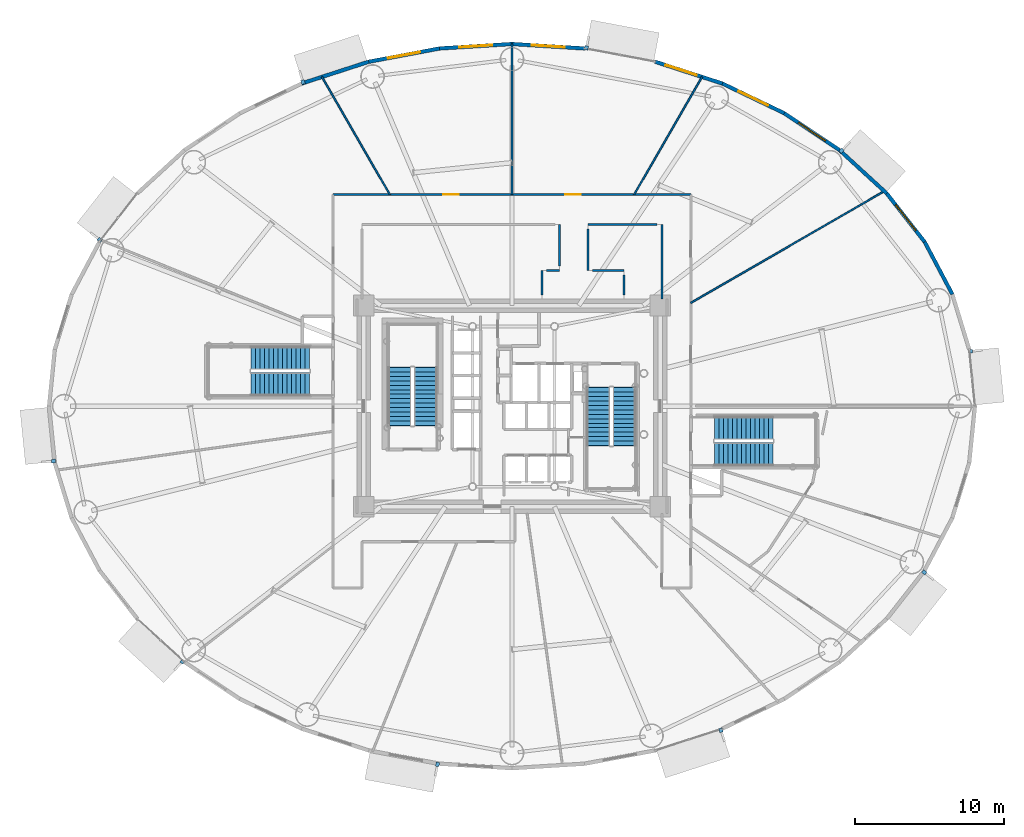
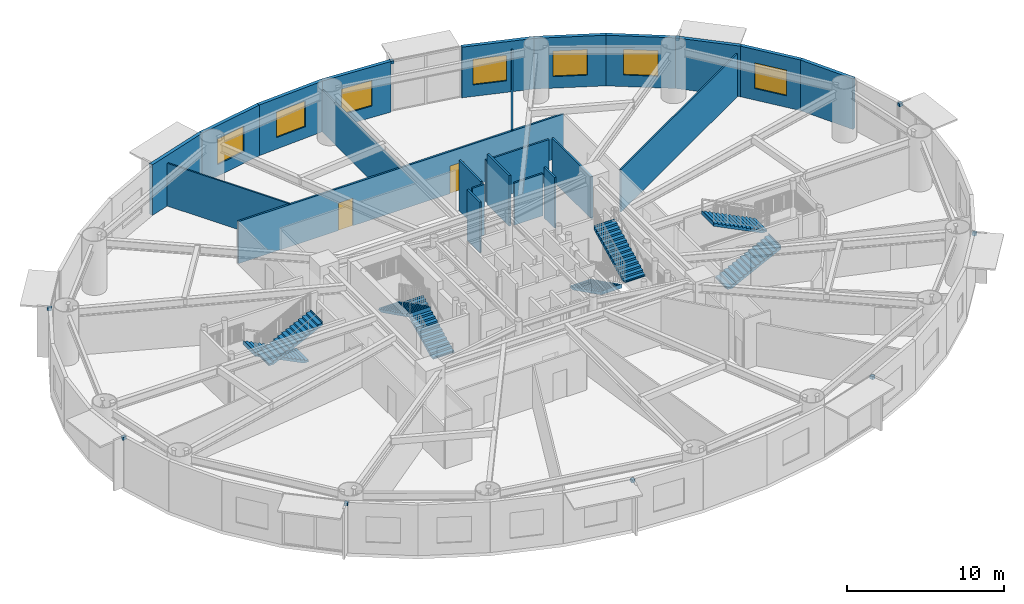
# One storey, part 23 of 35: 23 walls, 10 discrete accessories, 8 stair flights, 7 windows, 2 doors, 9 openings, 4 elements without a shape of their own.
"""IFC4 building model written with IfcOpenShell, lengths in metres."""

from ifc_helpers import new_model, si_unit, direction, frame, frame_2d, origin, origin_2d, place, context, subcontext, project, spatial, polyline, rectangle, outline, extrude, source, transform, mapped, material, layer, layer_set, type_object, element, fill, aggregate, save


model = new_model("IFC4")

# Units and contexts
model_context = context("Model", 3, precision=1e-05, world=origin(), true_north=direction((0.0, 1.0)))
body_context = subcontext(model_context, "Body", "Model", "MODEL_VIEW")
ifc_project = project(units=[si_unit("LENGTHUNIT", "METRE"), si_unit("AREAUNIT", "SQUARE_METRE"), si_unit("VOLUMEUNIT", "CUBIC_METRE"), si_unit("PLANEANGLEUNIT", "RADIAN"), si_unit("MASSUNIT", "GRAM", prefix="KILO")], contexts=[model_context])

# Site, building, storey
site_placement = place(None, origin())
site = spatial("IfcSite", under=ifc_project, at=site_placement, CompositionType="ELEMENT")
building_placement = place(site_placement, origin())
building = spatial("IfcBuilding", under=site, at=building_placement, Name="Linh Dai School and Residence Tower", CompositionType="ELEMENT")
storey_placement = place(building_placement, frame((0.0, 0.0, 49.199951171875)))
storey = spatial("IfcBuildingStorey", under=building, at=storey_placement, Name="L11", CompositionType="ELEMENT", Elevation=49.199951171875)

# Wall
ifc_material_1 = material(Name="Precast Concrete B45 (C35/45)", Category="concrete")
ifc_layer_1 = layer(ifc_material_1, 0.25)
ifc_layer_set_1 = layer_set([ifc_layer_1], Name="Precast Concrete B45 (C35/45)")
wall_type_1 = type_object("IfcWallType", Name="EW-TC-250", PredefinedType="SOLIDWALL", material=ifc_layer_set_1)
wall_1_placement = place(storey_placement, frame((63.694580078125, 38.022705078125, 0.0), z_axis=(0.0, 0.0, 1.0), x_axis=(0.467662443071, -0.883907144072, 0.0)))
element("IfcWall", 1, at=wall_1_placement, inside=storey, type_object=wall_type_1, Name="L11 Terracotta Exterior Wall 03", PredefinedType="SOLIDWALL", context=body_context, shape_type="SweptSolid", body=[
    extrude(rectangle(XDim=3.983642578125, YDim=0.25, at=frame_2d((1.99169921875, 0.0))), origin(), (0.0, 0.0, 1.0), 3.949951171875),
])

# Wall, opening, window
wall_2_placement = place(storey_placement, frame((61.149658203125, 41.274658203125, 0.0), z_axis=(0.0, 0.0, 1.0), x_axis=(0.616295508253, -0.787514981767, 0.0)))
wall_2 = element("IfcWall", 2, at=wall_2_placement, inside=storey, type_object=wall_type_1, Name="L11 Terracotta Exterior Wall 04", PredefinedType="SOLIDWALL", context=body_context, shape_type="SweptSolid", body=[
    extrude(rectangle(XDim=4.12939453125, YDim=0.25, at=frame_2d((2.064697265625, 0.0))), origin(), (0.0, 0.0, 1.0), 3.949951171875),
])
opening_1_placement = place(wall_2_placement, frame((0.964599609375, 0.0, 0.89990234375)))
opening_1 = element("IfcOpeningElement", 3, at=opening_1_placement, cuts=wall_2, Name="Opening W4", PredefinedType="OPENING", context=body_context, shape_type="SweptSolid", body=[
    extrude(rectangle(XDim=2.199951171875, YDim=2.0, at=origin_2d()), frame((1.10009765625, 0.135009765625, 1.0), z_axis=(0.0, -1.0, 0.0), x_axis=(1.0, 0.0, 0.0)), (0.0, 0.0, 1.0), 0.27001953125),
])
ifc_material_2 = material(Name="Acoustic Laminated Low-E Glazing", Category="glass")
window_type = type_object("IfcWindowType", Name="WN-SCH-2200x2000", PartitioningType="TRIPLE_PANEL_VERTICAL", PredefinedType="WINDOW", material=ifc_material_2)
shared_shape_1 = source(origin(), body_context, "Body", "SweptSolid", [
    extrude(rectangle(XDim=2.199951171875, YDim=2.0, at=origin_2d()), frame((1.10009765625, 0.030029296875, 1.0), z_axis=(0.0, -1.0, 0.0), x_axis=(1.0, 0.0, 0.0)), (0.0, 0.0, 1.0), 0.06005859375),
])
window_1_placement = place(opening_1_placement, origin())
window_1 = element("IfcWindow", 4, at=window_1_placement, inside=storey, type_object=window_type, Name="L11 Exterior Window 04.1", OverallHeight=2.0, OverallWidth=2.199951171875, PartitioningType="TRIPLE_PANEL_VERTICAL", PredefinedType="WINDOW", context=body_context, shape_type="MappedRepresentation", body=[
    mapped(shared_shape_1, transform((0.0, 0.0, 0.0), x_axis=(1.0, 0.0, 0.0), y_axis=(0.0, 1.0, 0.0), z_axis=(0.0, 0.0, 1.0), scale=1.0)),
])
fill(opening_1, window_1)

# Wall
wall_3_placement = place(storey_placement, frame((57.984619140625, 44.17626953125, 0.0), z_axis=(0.0, 0.0, 1.0), x_axis=(0.737116376281, -0.67576582321, 0.0)))
element("IfcWall", 5, at=wall_3_placement, inside=storey, type_object=wall_type_1, Name="L11 Terracotta Exterior Wall 05", PredefinedType="SOLIDWALL", context=body_context, shape_type="SweptSolid", body=[
    extrude(rectangle(XDim=4.293701171875, YDim=0.25, at=frame_2d((2.14697265625, 0.0))), origin(), (0.0, 0.0, 1.0), 3.949951171875),
])

# Wall, opening, window
wall_4_placement = place(storey_placement, frame((54.277099609375, 46.65576171875, 0.0), z_axis=(0.0, 0.0, 1.0), x_axis=(0.831240982525, -0.555912249343, 0.0)))
wall_4 = element("IfcWall", 6, at=wall_4_placement, inside=storey, type_object=wall_type_1, Name="L11 Terracotta Exterior Wall 06", PredefinedType="SOLIDWALL", context=body_context, shape_type="SweptSolid", body=[
    extrude(rectangle(XDim=4.460205078125, YDim=0.25, at=frame_2d((2.22998046875, 0.0))), origin(), (0.0, 0.0, 1.0), 3.949951171875),
])
opening_2_placement = place(wall_4_placement, frame((1.1298828125, 0.0, 0.89990234375)))
opening_2 = element("IfcOpeningElement", 7, at=opening_2_placement, cuts=wall_4, Name="Opening W4", PredefinedType="OPENING", context=body_context, shape_type="SweptSolid", body=[
    extrude(rectangle(XDim=2.199951171875, YDim=2.0, at=origin_2d()), frame((1.10009765625, 0.135009765625, 1.0), z_axis=(0.0, -1.0, 0.0), x_axis=(1.0, 0.0, 0.0)), (0.0, 0.0, 1.0), 0.27001953125),
])
window_2_placement = place(opening_2_placement, origin())
window_2 = element("IfcWindow", 8, at=window_2_placement, inside=storey, type_object=window_type, Name="L11 Exterior Window 06.1", OverallHeight=2.0, OverallWidth=2.199951171875, PartitioningType="TRIPLE_PANEL_VERTICAL", PredefinedType="WINDOW", context=body_context, shape_type="MappedRepresentation", body=[
    mapped(shared_shape_1, transform((0.0, 0.0, 0.0), x_axis=(1.0, 0.0, 0.0), y_axis=(0.0, 1.0, 0.0), z_axis=(0.0, 0.0, 1.0), scale=1.0)),
])
fill(opening_2, window_2)

wall_5_placement = place(storey_placement, frame((50.1181640625, 48.651123046875, 0.0), z_axis=(0.0, 0.0, 1.0), x_axis=(0.901601503137, -0.432567601123, 0.0)))
wall_5 = element("IfcWall", 9, at=wall_5_placement, inside=storey, type_object=wall_type_1, Name="L11 Terracotta Exterior Wall 07", PredefinedType="SOLIDWALL", context=body_context, shape_type="SweptSolid", body=[
    extrude(rectangle(XDim=4.61279296875, YDim=0.25, at=frame_2d((2.306396484375, 0.0))), origin(), (0.0, 0.0, 1.0), 3.949951171875),
])
opening_3_placement = place(wall_5_placement, frame((1.206298828125, 0.0, 0.89990234375)))
opening_3 = element("IfcOpeningElement", 10, at=opening_3_placement, cuts=wall_5, Name="Opening W4", PredefinedType="OPENING", context=body_context, shape_type="SweptSolid", body=[
    extrude(rectangle(XDim=2.199951171875, YDim=2.0, at=origin_2d()), frame((1.10009765625, 0.135009765625, 1.0), z_axis=(0.0, -1.0, 0.0), x_axis=(1.0, 0.0, 0.0)), (0.0, 0.0, 1.0), 0.27001953125),
])
window_3_placement = place(opening_3_placement, origin())
window_3 = element("IfcWindow", 11, at=window_3_placement, inside=storey, type_object=window_type, Name="L11 Exterior Window 07.1", OverallHeight=2.0, OverallWidth=2.199951171875, PartitioningType="TRIPLE_PANEL_VERTICAL", PredefinedType="WINDOW", context=body_context, shape_type="MappedRepresentation", body=[
    mapped(shared_shape_1, transform((0.0, 0.0, 0.0), x_axis=(1.0, 0.0, 0.0), y_axis=(0.0, 1.0, 0.0), z_axis=(0.0, 0.0, 1.0), scale=1.0)),
])
fill(opening_3, window_3)

wall_6_placement = place(storey_placement, frame((45.610595703125, 50.11328125, 0.0), z_axis=(0.0, 0.0, 1.0), x_axis=(0.951207699013, -0.308551313946, 0.0)))
wall_6 = element("IfcWall", 12, at=wall_6_placement, inside=storey, type_object=wall_type_1, Name="L11 Terracotta Exterior Wall 08", PredefinedType="SOLIDWALL", context=body_context, shape_type="SweptSolid", body=[
    extrude(rectangle(XDim=4.73876953125, YDim=0.25, at=frame_2d((2.369384765625, 0.0))), origin(), (0.0, 0.0, 1.0), 3.949951171875),
])
opening_4_placement = place(wall_6_placement, frame((0.73388671875, 0.0, 0.89990234375)))
opening_4 = element("IfcOpeningElement", 13, at=opening_4_placement, cuts=wall_6, Name="Opening W4", PredefinedType="OPENING", context=body_context, shape_type="SweptSolid", body=[
    extrude(rectangle(XDim=2.199951171875, YDim=2.0, at=origin_2d()), frame((1.10009765625, 0.135009765625, 1.0), z_axis=(0.0, -1.0, 0.0), x_axis=(1.0, 0.0, 0.0)), (0.0, 0.0, 1.0), 0.27001953125),
])
window_4_placement = place(opening_4_placement, origin())
window_4 = element("IfcWindow", 14, at=window_4_placement, inside=storey, type_object=window_type, Name="L11 Exterior Window 08.1", OverallHeight=2.0, OverallWidth=2.199951171875, PartitioningType="TRIPLE_PANEL_VERTICAL", PredefinedType="WINDOW", context=body_context, shape_type="MappedRepresentation", body=[
    mapped(shared_shape_1, transform((0.0, 0.0, 0.0), x_axis=(1.0, 0.0, 0.0), y_axis=(0.0, 1.0, 0.0), z_axis=(0.0, 0.0, 1.0), scale=1.0)),
])
fill(opening_4, window_4)

wall_7_placement = place(storey_placement, frame((36.0, 51.304931640625, 0.0), z_axis=(0.0, 0.0, 1.0), x_axis=(0.998106954071, -0.061502099433, 0.0)))
wall_7 = element("IfcWall", 15, at=wall_7_placement, inside=storey, type_object=wall_type_1, Name="L11 Terracotta Exterior Wall 10", PredefinedType="SOLIDWALL", context=body_context, shape_type="SweptSolid", body=[
    extrude(rectangle(XDim=4.874755859375, YDim=0.25, at=frame_2d((2.4375, 0.0))), origin(), (0.0, 0.0, 1.0), 3.949951171875),
])
opening_5_placement = place(wall_7_placement, frame((1.33740234375, 0.0, 0.89990234375)))
opening_5 = element("IfcOpeningElement", 16, at=opening_5_placement, cuts=wall_7, Name="Opening W4", PredefinedType="OPENING", context=body_context, shape_type="SweptSolid", body=[
    extrude(rectangle(XDim=2.199951171875, YDim=2.0, at=origin_2d()), frame((1.10009765625, 0.135009765625, 1.0), z_axis=(0.0, -1.0, 0.0), x_axis=(1.0, 0.0, 0.0)), (0.0, 0.0, 1.0), 0.27001953125),
])
window_5_placement = place(opening_5_placement, origin())
window_5 = element("IfcWindow", 17, at=window_5_placement, inside=storey, type_object=window_type, Name="L11 Exterior Window 10.1", OverallHeight=2.0, OverallWidth=2.199951171875, PartitioningType="TRIPLE_PANEL_VERTICAL", PredefinedType="WINDOW", context=body_context, shape_type="MappedRepresentation", body=[
    mapped(shared_shape_1, transform((0.0, 0.0, 0.0), x_axis=(1.0, 0.0, 0.0), y_axis=(0.0, 1.0, 0.0), z_axis=(0.0, 0.0, 1.0), scale=1.0)),
])
fill(opening_5, window_5)

wall_8_placement = place(storey_placement, frame((31.134521484375, 51.005126953125, 0.0), z_axis=(0.0, 0.0, 1.0), x_axis=(0.998106954071, 0.061502099433, 0.0)))
wall_8 = element("IfcWall", 18, at=wall_8_placement, inside=storey, type_object=wall_type_1, Name="L11 Terracotta Exterior Wall 11", PredefinedType="SOLIDWALL", context=body_context, shape_type="SweptSolid", body=[
    extrude(rectangle(XDim=4.874755859375, YDim=0.25, at=frame_2d((2.4375, 0.0))), origin(), (0.0, 0.0, 1.0), 3.949951171875),
])
opening_6_placement = place(wall_8_placement, frame((1.33740234375, 0.0, 0.89990234375)))
opening_6 = element("IfcOpeningElement", 19, at=opening_6_placement, cuts=wall_8, Name="Opening W4", PredefinedType="OPENING", context=body_context, shape_type="SweptSolid", body=[
    extrude(rectangle(XDim=2.199951171875, YDim=2.0, at=origin_2d()), frame((1.10009765625, 0.135009765625, 1.0), z_axis=(0.0, -1.0, 0.0), x_axis=(1.0, 0.0, 0.0)), (0.0, 0.0, 1.0), 0.27001953125),
])
window_6_placement = place(opening_6_placement, origin())
window_6 = element("IfcWindow", 20, at=window_6_placement, inside=storey, type_object=window_type, Name="L11 Exterior Window 11.1", OverallHeight=2.0, OverallWidth=2.199951171875, PartitioningType="TRIPLE_PANEL_VERTICAL", PredefinedType="WINDOW", context=body_context, shape_type="MappedRepresentation", body=[
    mapped(shared_shape_1, transform((0.0, 0.0, 0.0), x_axis=(1.0, 0.0, 0.0), y_axis=(0.0, 1.0, 0.0), z_axis=(0.0, 0.0, 1.0), scale=1.0)),
])
fill(opening_6, window_6)

wall_9_placement = place(storey_placement, frame((26.389404296875, 50.11328125, 0.0), z_axis=(0.0, 0.0, 1.0), x_axis=(0.982791952378, 0.184715939598, 0.0)))
wall_9 = element("IfcWall", 21, at=wall_9_placement, inside=storey, type_object=wall_type_1, Name="L11 Terracotta Exterior Wall 12", PredefinedType="SOLIDWALL", context=body_context, shape_type="SweptSolid", body=[
    extrude(rectangle(XDim=4.828125, YDim=0.25, at=frame_2d((2.4140625, 0.0))), origin(), (0.0, 0.0, 1.0), 3.949951171875),
])
opening_7_placement = place(wall_9_placement, frame((1.314208984375, 0.0, 0.89990234375)))
opening_7 = element("IfcOpeningElement", 22, at=opening_7_placement, cuts=wall_9, Name="Opening W4", PredefinedType="OPENING", context=body_context, shape_type="SweptSolid", body=[
    extrude(rectangle(XDim=2.199951171875, YDim=2.0, at=origin_2d()), frame((1.10009765625, 0.135009765625, 1.0), z_axis=(0.0, -1.0, 0.0), x_axis=(1.0, 0.0, 0.0)), (0.0, 0.0, 1.0), 0.27001953125),
])
window_7_placement = place(opening_7_placement, origin())
window_7 = element("IfcWindow", 23, at=window_7_placement, inside=storey, type_object=window_type, Name="L11 Exterior Window 12.1", OverallHeight=2.0, OverallWidth=2.199951171875, PartitioningType="TRIPLE_PANEL_VERTICAL", PredefinedType="WINDOW", context=body_context, shape_type="MappedRepresentation", body=[
    mapped(shared_shape_1, transform((0.0, 0.0, 0.0), x_axis=(1.0, 0.0, 0.0), y_axis=(0.0, 1.0, 0.0), z_axis=(0.0, 0.0, 1.0), scale=1.0)),
])
fill(opening_7, window_7)

# Wall
wall_10_placement = place(storey_placement, frame((21.8818359375, 48.651123046875, 0.0), z_axis=(0.0, 0.0, 1.0), x_axis=(0.951207699013, 0.308551313946, 0.0)))
element("IfcWall", 24, at=wall_10_placement, inside=storey, type_object=wall_type_1, Name="L11 Terracotta Exterior Wall 13", PredefinedType="SOLIDWALL", context=body_context, shape_type="SweptSolid", body=[
    extrude(rectangle(XDim=4.73876953125, YDim=0.25, at=frame_2d((2.369384765625, 0.0))), origin(), (0.0, 0.0, 1.0), 3.949951171875),
])

# Wall, openings, doors
ifc_material_3 = material(Name="Autoclaved Aerated Concrete Blockwork", Category="masonry")
ifc_layer_2 = layer(ifc_material_3, 0.135009765625)
ifc_layer_set_2 = layer_set([ifc_layer_2], Name="Autoclaved Aerated Concrete Blockwork")
wall_type_2 = type_object("IfcWallType", Name="IW-CORR-135-EI90", PredefinedType="PARTITIONING", material=ifc_layer_set_2)
wall_11_placement = place(storey_placement, frame((24.0, 41.199951171875, 0.0), z_axis=(0.0, 0.0, 1.0), x_axis=(1.0, 0.0, 0.0)))
wall_11 = element("IfcWall", 25, at=wall_11_placement, inside=storey, type_object=wall_type_2, Name="L11 Interior Partition Wall 014", PredefinedType="PARTITIONING", context=body_context, shape_type="SweptSolid", body=[
    extrude(rectangle(XDim=24.0, YDim=0.135009765625, at=frame_2d((12.0, 0.0))), origin(), (0.0, 0.0, 1.0), 3.28515625),
])
opening_8_placement = place(wall_11_placement, frame((15.57421875, 0.0, 0.0)))
opening_8 = element("IfcOpeningElement", 26, at=opening_8_placement, cuts=wall_11, Name="Opening D04", PredefinedType="OPENING", context=body_context, shape_type="SweptSolid", body=[
    extrude(rectangle(XDim=1.050048828125, YDim=2.14990234375, at=origin_2d()), frame((0.52490234375, 0.07763671875, 1.074951171875), z_axis=(0.0, -1.0, 0.0), x_axis=(1.0, 0.0, 0.0)), (0.0, 0.0, 1.0), 0.155029296875),
])
opening_9_placement = place(wall_11_placement, frame((7.375732421875, 0.0, 0.0)))
opening_9 = element("IfcOpeningElement", 27, at=opening_9_placement, cuts=wall_11, Name="Opening D04", PredefinedType="OPENING", context=body_context, shape_type="SweptSolid", body=[
    extrude(rectangle(XDim=1.050048828125, YDim=2.14990234375, at=origin_2d()), frame((0.52490234375, 0.07763671875, 1.074951171875), z_axis=(0.0, -1.0, 0.0), x_axis=(1.0, 0.0, 0.0)), (0.0, 0.0, 1.0), 0.155029296875),
])
ifc_material_4 = material(Name="Acoustic Vision-Panel Timber Classroom Door", Category="wood")
door_type = type_object("IfcDoorType", Name="DR-SCH-1050x2150-FD60S", OperationType="NOTDEFINED", PredefinedType="DOOR", material=ifc_material_4)
shared_shape_2 = source(origin(), body_context, "Body", "SweptSolid", [
    extrude(rectangle(XDim=1.050048828125, YDim=2.14990234375, at=origin_2d()), frame((0.52490234375, 0.02490234375, 1.074951171875), z_axis=(0.0, -1.0, 0.0), x_axis=(1.0, 0.0, 0.0)), (0.0, 0.0, 1.0), 0.050048828125),
])
door_1_placement = place(opening_8_placement, origin())
door_1 = element("IfcDoor", 28, at=door_1_placement, inside=storey, type_object=door_type, Name="L11 Secondary Classroom 3 Door", OperationType="SINGLE_SWING_RIGHT", OverallHeight=2.14990234375, OverallWidth=1.050048828125, PredefinedType="DOOR", context=body_context, shape_type="MappedRepresentation", body=[
    mapped(shared_shape_2, transform((0.0, 0.0, 0.0), x_axis=(1.0, 0.0, 0.0), y_axis=(0.0, 1.0, 0.0), z_axis=(0.0, 0.0, 1.0), scale=1.0)),
])
fill(opening_8, door_1)
door_2_placement = place(opening_9_placement, origin())
door_2 = element("IfcDoor", 29, at=door_2_placement, inside=storey, type_object=door_type, Name="L11 Secondary Classroom 4 Door", OperationType="SINGLE_SWING_LEFT", OverallHeight=2.14990234375, OverallWidth=1.050048828125, PredefinedType="DOOR", context=body_context, shape_type="MappedRepresentation", body=[
    mapped(shared_shape_2, transform((0.0, 0.0, 0.0), x_axis=(1.0, 0.0, 0.0), y_axis=(0.0, 1.0, 0.0), z_axis=(0.0, 0.0, 1.0), scale=1.0)),
])
fill(opening_9, door_2)

# Walls
wall_12_placement = place(storey_placement, frame((46.050048828125, 34.199951171875, 0.0), z_axis=(0.0, 0.0, 1.0), x_axis=(0.0, 1.0, 0.0)))
element("IfcWall", 30, at=wall_12_placement, inside=storey, type_object=wall_type_2, Name="L11 Interior Partition Wall 092", PredefinedType="PARTITIONING", context=body_context, shape_type="SweptSolid", body=[
    extrude(rectangle(XDim=5.0, YDim=0.135009765625, at=frame_2d((2.5, 0.0))), origin(), (0.0, 0.0, 1.0), 3.28515625),
])
wall_13_placement = place(storey_placement, frame((45.742431640625, 39.199951171875, 0.0), z_axis=(0.0, 0.0, 1.0), x_axis=(-1.0, 0.0, 0.0)))
element("IfcWall", 31, at=wall_13_placement, inside=storey, type_object=wall_type_2, Name="L11 Interior Partition Wall 093", PredefinedType="PARTITIONING", context=body_context, shape_type="SweptSolid", body=[
    extrude(rectangle(XDim=4.642333984375, YDim=0.135009765625, at=frame_2d((2.3212890625, 0.0))), origin(), (0.0, 0.0, 1.0), 3.28515625),
])
wall_14_placement = place(storey_placement, frame((41.10009765625, 38.892578125, 0.0), z_axis=(0.0, 0.0, 1.0), x_axis=(0.0, -1.0, 0.0)))
element("IfcWall", 32, at=wall_14_placement, inside=storey, type_object=wall_type_2, Name="L11 Interior Partition Wall 094", PredefinedType="PARTITIONING", context=body_context, shape_type="SweptSolid", body=[
    extrude(rectangle(XDim=2.79248046875, YDim=0.135009765625, at=frame_2d((1.396240234375, 0.0))), origin(), (0.0, 0.0, 1.0), 3.949951171875),
])
wall_15_placement = place(storey_placement, frame((41.407470703125, 36.10009765625, 0.0), z_axis=(0.0, 0.0, 1.0), x_axis=(1.0, 0.0, 0.0)))
element("IfcWall", 33, at=wall_15_placement, inside=storey, type_object=wall_type_2, Name="L11 Interior Partition Wall 095", PredefinedType="PARTITIONING", context=body_context, shape_type="SweptSolid", body=[
    extrude(rectangle(XDim=2.092529296875, YDim=0.135009765625, at=frame_2d((1.04638671875, 0.0))), origin(), (0.0, 0.0, 1.0), 3.28515625),
])
wall_16_placement = place(storey_placement, frame((43.5, 35.79248046875, 0.0), z_axis=(0.0, 0.0, 1.0), x_axis=(0.0, -1.0, 0.0)))
element("IfcWall", 34, at=wall_16_placement, inside=storey, type_object=wall_type_2, Name="L11 Interior Partition Wall 096", PredefinedType="PARTITIONING", context=body_context, shape_type="SweptSolid", body=[
    extrude(rectangle(XDim=1.33251953125, YDim=0.135009765625, at=frame_2d((0.666259765625, 0.0))), origin(), (0.0, 0.0, 1.0), 3.949951171875),
])
wall_17_placement = place(storey_placement, frame((38.0, 34.4599609375, 0.0), z_axis=(0.0, 0.0, 1.0), x_axis=(0.0, 1.0, 0.0)))
element("IfcWall", 35, at=wall_17_placement, inside=storey, type_object=wall_type_2, Name="L11 Interior Partition Wall 097", PredefinedType="PARTITIONING", context=body_context, shape_type="SweptSolid", body=[
    extrude(rectangle(XDim=1.64013671875, YDim=0.135009765625, at=frame_2d((0.820068359375, 0.0))), origin(), (0.0, 0.0, 1.0), 3.949951171875),
])
wall_18_placement = place(storey_placement, frame((38.3076171875, 36.10009765625, 0.0), z_axis=(0.0, 0.0, 1.0), x_axis=(1.0, 0.0, 0.0)))
element("IfcWall", 36, at=wall_18_placement, inside=storey, type_object=wall_type_2, Name="L11 Interior Partition Wall 098", PredefinedType="PARTITIONING", context=body_context, shape_type="SweptSolid", body=[
    extrude(rectangle(XDim=0.892333984375, YDim=0.135009765625, at=frame_2d((0.4462890625, 0.0))), origin(), (0.0, 0.0, 1.0), 3.949951171875),
])
wall_19_placement = place(storey_placement, frame((39.199951171875, 36.407470703125, 0.0), z_axis=(0.0, 0.0, 1.0), x_axis=(0.0, 1.0, 0.0)))
element("IfcWall", 37, at=wall_19_placement, inside=storey, type_object=wall_type_2, Name="L11 Interior Partition Wall 099", PredefinedType="PARTITIONING", context=body_context, shape_type="SweptSolid", body=[
    extrude(rectangle(XDim=2.79248046875, YDim=0.135009765625, at=frame_2d((1.396240234375, 0.0))), origin(), (0.0, 0.0, 1.0), 3.949951171875),
])
ifc_material_5 = material(Name="Acoustic Operable Timber Panel Partition", Category="wood")
ifc_layer_3 = layer(ifc_material_5, 0.110107421875)
ifc_layer_set_3 = layer_set([ifc_layer_3], Name="Acoustic Operable Timber Panel Partition")
wall_type_3 = type_object("IfcWallType", Name="IW-MOV-110", PredefinedType="MOVABLE", material=ifc_layer_set_3)
wall_20_placement = place(storey_placement, frame((23.241943359375, 49.09765625, 0.0), z_axis=(0.0, 0.0, 1.0), x_axis=(0.499985867395, -0.866033563094, 0.0)))
element("IfcWall", 38, at=wall_20_placement, inside=storey, type_object=wall_type_3, Name="L11 Interior Partition Wall 009", PredefinedType="MOVABLE", context=body_context, shape_type="SweptSolid", body=[
    extrude(rectangle(XDim=9.119384765625, YDim=0.110107421875, at=frame_2d((4.5595703125, 0.0))), origin(), (0.0, 0.0, 1.0), 3.3349609375),
])
wall_21_placement = place(storey_placement, frame((36.0, 41.199951171875, 0.0), z_axis=(0.0, 0.0, 1.0), x_axis=(0.0, 1.0, 0.0)))
element("IfcWall", 39, at=wall_21_placement, inside=storey, type_object=wall_type_3, Name="L11 Interior Partition Wall 040", PredefinedType="MOVABLE", context=body_context, shape_type="SweptSolid", body=[
    extrude(rectangle(XDim=10.110107421875, YDim=0.110107421875, at=frame_2d((5.05517578125, 0.0))), origin(), (0.0, 0.0, 1.0), 3.28515625),
])
wall_22_placement = place(storey_placement, frame((44.198486328125, 41.199951171875, 0.0), z_axis=(0.0, 0.0, 1.0), x_axis=(0.499985867395, 0.866033563094, 0.0)))
element("IfcWall", 40, at=wall_22_placement, inside=storey, type_object=wall_type_3, Name="L11 Interior Partition Wall 057", PredefinedType="MOVABLE", context=body_context, shape_type="SweptSolid", body=[
    extrude(rectangle(XDim=9.119384765625, YDim=0.110107421875, at=frame_2d((4.5595703125, 0.0))), origin(), (0.0, 0.0, 1.0), 3.3349609375),
])
wall_23_placement = place(storey_placement, frame((48.0, 33.92822265625, 0.0), z_axis=(0.0, 0.0, 1.0), x_axis=(0.86602186862, 0.500006123034, 0.0)))
element("IfcWall", 41, at=wall_23_placement, inside=storey, type_object=wall_type_3, Name="L11 Interior Partition Wall 068", PredefinedType="MOVABLE", context=body_context, shape_type="SweptSolid", body=[
    extrude(rectangle(XDim=14.999267578125, YDim=0.110107421875, at=frame_2d((7.49951171875, 0.0))), origin(), (0.0, 0.0, 1.0), 3.3349609375),
])

# Stair, stair flights
ifc_material_6 = material(Name="Concrete B45 (C35/45)", Category="concrete")
stair_type = type_object("IfcStairType", Name="ST-DOG-1550-R1500", PredefinedType="HALF_TURN_STAIR", material=ifc_material_6)
stair_1_placement = place(storey_placement, origin())
stair_1 = element("IfcStair", 42, at=stair_1_placement, inside=storey, type_object=stair_type, Name="L11 Core Smokeproof Exit Stair ST1", PredefinedType="HALF_TURN_STAIR")
stair_flight_type = type_object("IfcStairFlightType", Name="STF-STR-1550-R1500", PredefinedType="STRAIGHT", material=ifc_material_6)
shared_shape_3 = source(origin(), body_context, "Body", "SweptSolid", [
    extrude(outline(polyline([(-0.02490234375, 0.0), (-0.02490234375, 0.06005859375), (0.0, 0.06005859375), (0.0, 0.14990234375), (0.300048828125, 0.14990234375), (0.300048828125, 0.300048828125), (0.60009765625, 0.300048828125), (0.60009765625, 0.449951171875), (0.89990234375, 0.449951171875), (0.89990234375, 0.60009765625), (1.199951171875, 0.60009765625), (1.199951171875, 0.75), (1.5, 0.75), (1.5, 0.89990234375), (1.800048828125, 0.89990234375), (1.800048828125, 1.050048828125), (2.10009765625, 1.050048828125), (2.10009765625, 1.199951171875), (2.39990234375, 1.199951171875), (2.39990234375, 1.35009765625), (2.699951171875, 1.35009765625), (2.699951171875, 1.5), (3.0, 1.5), (3.0, 1.64990234375), (3.300048828125, 1.64990234375), (3.300048828125, 1.800048828125), (3.60009765625, 1.800048828125), (3.60009765625, 1.949951171875), (3.89990234375, 1.949951171875), (3.89990234375, 2.10009765625), (3.925048828125, 2.10009765625), (3.925048828125, 1.782470703125), (3.89990234375, 1.782470703125), (0.335205078125, 0.0), (-0.02490234375, 0.0)])), frame((0.0, 0.77490234375, 0.0), z_axis=(0.0, -1.0, 0.0), x_axis=(1.0, 0.0, 0.0)), (0.0, 0.0, 1.0), 1.550048828125),
])
stair_flight_1_placement = place(storey_placement, frame((30.205078125, 25.699951171875, 0.0), z_axis=(0.0, 0.0, 1.0), x_axis=(0.0, 1.0, 0.0)))
stair_flight_1 = element("IfcStairFlight", 43, at=stair_flight_1_placement, type_object=stair_flight_type, Name="ST1 flight 1", NumberOfRisers=14, NumberOfTreads=13, PredefinedType="STRAIGHT", RiserHeight=0.15, TreadLength=0.3, context=body_context, shape_type="MappedRepresentation", body=[
    mapped(shared_shape_3, transform((0.0, 0.0, 0.0), x_axis=(1.0, 0.0, 0.0), y_axis=(0.0, 1.0, 0.0), z_axis=(0.0, 0.0, 1.0), scale=1.0)),
])
stair_flight_2_placement = place(storey_placement, frame((28.455078125, 29.60009765625, 2.10009765625), z_axis=(0.0, 0.0, 1.0), x_axis=(0.0, -1.0, 0.0)))
stair_flight_2 = element("IfcStairFlight", 44, at=stair_flight_2_placement, type_object=stair_flight_type, Name="ST1 flight 2", NumberOfRisers=14, NumberOfTreads=13, PredefinedType="STRAIGHT", RiserHeight=0.15, TreadLength=0.3, context=body_context, shape_type="MappedRepresentation", body=[
    mapped(shared_shape_3, transform((0.0, 0.0, 0.0), x_axis=(1.0, 0.0, 0.0), y_axis=(0.0, 1.0, 0.0), z_axis=(0.0, 0.0, 1.0), scale=1.0)),
])
aggregate(stair_1, [stair_flight_1, stair_flight_2])

stair_2_placement = place(storey_placement, origin())
stair_2 = element("IfcStair", 45, at=stair_2_placement, inside=storey, type_object=stair_type, Name="L11 Core Smokeproof Exit Stair ST2", PredefinedType="HALF_TURN_STAIR")
stair_flight_3_placement = place(storey_placement, frame((41.794921875, 28.25, 0.0), z_axis=(0.0, 0.0, 1.0), x_axis=(0.0, -1.0, 0.0)))
stair_flight_3 = element("IfcStairFlight", 46, at=stair_flight_3_placement, type_object=stair_flight_type, Name="ST2 flight 1", NumberOfRisers=14, NumberOfTreads=13, PredefinedType="STRAIGHT", RiserHeight=0.15, TreadLength=0.3, context=body_context, shape_type="MappedRepresentation", body=[
    mapped(shared_shape_3, transform((0.0, 0.0, 0.0), x_axis=(1.0, 0.0, 0.0), y_axis=(0.0, 1.0, 0.0), z_axis=(0.0, 0.0, 1.0), scale=1.0)),
])
stair_flight_4_placement = place(storey_placement, frame((43.544921875, 24.35009765625, 2.10009765625), z_axis=(0.0, 0.0, 1.0), x_axis=(0.0, 1.0, 0.0)))
stair_flight_4 = element("IfcStairFlight", 47, at=stair_flight_4_placement, type_object=stair_flight_type, Name="ST2 flight 2", NumberOfRisers=14, NumberOfTreads=13, PredefinedType="STRAIGHT", RiserHeight=0.15, TreadLength=0.3, context=body_context, shape_type="MappedRepresentation", body=[
    mapped(shared_shape_3, transform((0.0, 0.0, 0.0), x_axis=(1.0, 0.0, 0.0), y_axis=(0.0, 1.0, 0.0), z_axis=(0.0, 0.0, 1.0), scale=1.0)),
])
aggregate(stair_2, [stair_flight_3, stair_flight_4])

stair_3_placement = place(storey_placement, origin())
stair_3 = element("IfcStair", 48, at=stair_3_placement, inside=storey, type_object=stair_type, Name="L11 School Exit Stair STS1", PredefinedType="HALF_TURN_STAIR")
stair_flight_5_placement = place(storey_placement, frame((22.39990234375, 30.22509765625, 0.0), z_axis=(0.0, 0.0, 1.0), x_axis=(-1.0, 0.0, 0.0)))
stair_flight_5 = element("IfcStairFlight", 49, at=stair_flight_5_placement, type_object=stair_flight_type, Name="STS1 flight 1", NumberOfRisers=14, NumberOfTreads=13, PredefinedType="STRAIGHT", RiserHeight=0.15, TreadLength=0.3, context=body_context, shape_type="MappedRepresentation", body=[
    mapped(shared_shape_3, transform((0.0, 0.0, 0.0), x_axis=(1.0, 0.0, 0.0), y_axis=(0.0, 1.0, 0.0), z_axis=(0.0, 0.0, 1.0), scale=1.0)),
])
stair_flight_6_placement = place(storey_placement, frame((18.5, 28.47509765625, 2.10009765625), z_axis=(0.0, 0.0, 1.0), x_axis=(1.0, 0.0, 0.0)))
stair_flight_6 = element("IfcStairFlight", 50, at=stair_flight_6_placement, type_object=stair_flight_type, Name="STS1 flight 2", NumberOfRisers=14, NumberOfTreads=13, PredefinedType="STRAIGHT", RiserHeight=0.15, TreadLength=0.3, context=body_context, shape_type="MappedRepresentation", body=[
    mapped(shared_shape_3, transform((0.0, 0.0, 0.0), x_axis=(1.0, 0.0, 0.0), y_axis=(0.0, 1.0, 0.0), z_axis=(0.0, 0.0, 1.0), scale=1.0)),
])
aggregate(stair_3, [stair_flight_5, stair_flight_6])

stair_4_placement = place(storey_placement, origin())
stair_4 = element("IfcStair", 51, at=stair_4_placement, inside=storey, type_object=stair_type, Name="L11 School Exit Stair STS2", PredefinedType="HALF_TURN_STAIR")
stair_flight_7_placement = place(storey_placement, frame((49.60009765625, 23.77490234375, 0.0), z_axis=(0.0, 0.0, 1.0), x_axis=(1.0, 0.0, 0.0)))
stair_flight_7 = element("IfcStairFlight", 52, at=stair_flight_7_placement, type_object=stair_flight_type, Name="STS2 flight 1", NumberOfRisers=14, NumberOfTreads=13, PredefinedType="STRAIGHT", RiserHeight=0.15, TreadLength=0.3, context=body_context, shape_type="MappedRepresentation", body=[
    mapped(shared_shape_3, transform((0.0, 0.0, 0.0), x_axis=(1.0, 0.0, 0.0), y_axis=(0.0, 1.0, 0.0), z_axis=(0.0, 0.0, 1.0), scale=1.0)),
])
stair_flight_8_placement = place(storey_placement, frame((53.5, 25.52490234375, 2.10009765625), z_axis=(0.0, 0.0, 1.0), x_axis=(-1.0, 0.0, 0.0)))
stair_flight_8 = element("IfcStairFlight", 53, at=stair_flight_8_placement, type_object=stair_flight_type, Name="STS2 flight 2", NumberOfRisers=14, NumberOfTreads=13, PredefinedType="STRAIGHT", RiserHeight=0.15, TreadLength=0.3, context=body_context, shape_type="MappedRepresentation", body=[
    mapped(shared_shape_3, transform((0.0, 0.0, 0.0), x_axis=(1.0, 0.0, 0.0), y_axis=(0.0, 1.0, 0.0), z_axis=(0.0, 0.0, 1.0), scale=1.0)),
])
aggregate(stair_4, [stair_flight_7, stair_flight_8])

# Discrete accessories
ifc_material_7 = material(Name="Structural Steel S355JR", Category="steel")
discrete_accessory_type = type_object("IfcDiscreteAccessoryType", Name="ACC-BRK-S355", PredefinedType="BRACKET", material=ifc_material_7)
shared_shape_4 = source(origin(), body_context, "Body", "SweptSolid", [
    extrude(rectangle(XDim=0.280029296875, YDim=0.239990234375, at=origin_2d()), origin(), (0.0, 0.0, 1.0), 0.219970703125),
])
for number, where, z_axis, x_axis, name in (
    (54, (66.76513671875, 30.68359375, 3.7001953125), (0.0, 0.0, 1.0), (0.994986493533, 0.100009387998, 0.0), "L11 Facade Frame Anchor Bracket 01"),
    (55, (58.11376953125, 44.139404296875, 3.7001953125), (0.0, 0.0, 1.0), (0.675769237268, 0.737113246362, 0.0), "L11 Facade Frame Anchor Bracket 05"),
    (56, (40.994384765625, 51.0419921875, 3.7001953125), (0.0, 0.0, 1.0), (0.184747948944, 0.982785935675, 0.0), "L11 Facade Frame Anchor Bracket 09"),
    (57, (21.9775390625, 48.745361328125, 3.7001953125), (0.0, 0.0, 1.0), (-0.308510993844, 0.951220777043, 0.0), "L11 Facade Frame Anchor Bracket 13"),
    (58, (8.33203125, 38.154296875, 3.7001953125), (0.0, 0.0, 1.0), (-0.787496262172, 0.616319427785, 0.0), "L11 Facade Frame Anchor Bracket 17"),
    (59, (5.23486328125, 23.31640625, 3.7001953125), (0.0, 0.0, 1.0), (-0.994986493533, -0.100009387998, 0.0), "L11 Facade Frame Anchor Bracket 21"),
    (60, (13.88623046875, 9.860595703125, 3.7001953125), (0.0, 0.0, 1.0), (-0.675769237268, -0.737113246362, 0.0), "L11 Facade Frame Anchor Bracket 25"),
    (61, (31.005615234375, 2.9580078125, 3.7001953125), (0.0, 0.0, 1.0), (-0.184747948944, -0.982785935675, 0.0), "L11 Facade Frame Anchor Bracket 29"),
    (62, (50.0224609375, 5.254638671875, 3.7001953125), (0.0, 0.0, 1.0), (0.308510993844, -0.951220777043, 0.0), "L11 Facade Frame Anchor Bracket 33"),
    (63, (63.66796875, 15.845703125, 3.7001953125), (0.0, 0.0, 1.0), (0.787496262172, -0.616319427785, 0.0), "L11 Facade Frame Anchor Bracket 37"),
):
    element("IfcDiscreteAccessory", number, at=place(storey_placement, frame(where, z_axis=z_axis, x_axis=x_axis)), inside=storey, type_object=discrete_accessory_type, Name=name, PredefinedType="BRACKET", context=body_context, shape_type="MappedRepresentation", body=[
        mapped(shared_shape_4, transform((0.0, 0.0, 0.0), x_axis=(1.0, 0.0, 0.0), y_axis=(0.0, 1.0, 0.0), z_axis=(0.0, 0.0, 1.0), scale=1.0)),
    ])

save(model, "model.ifc")
